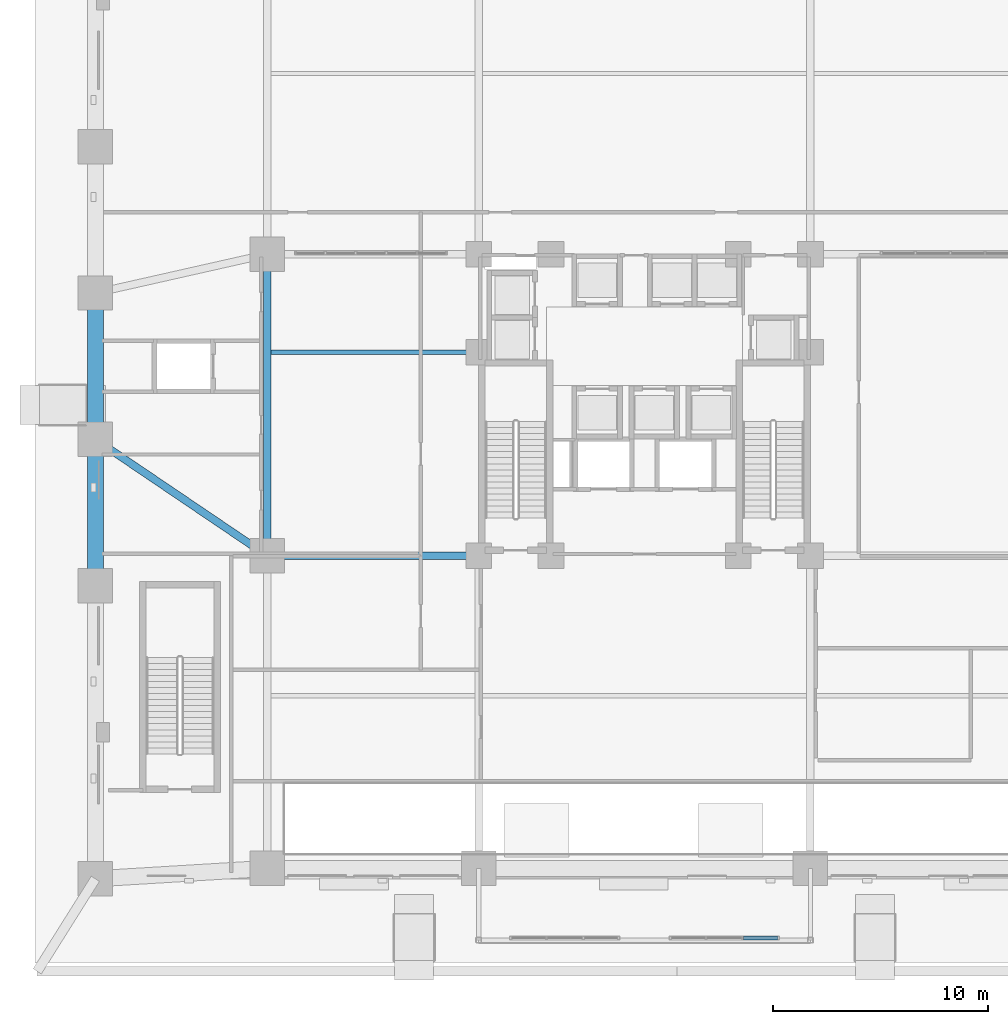
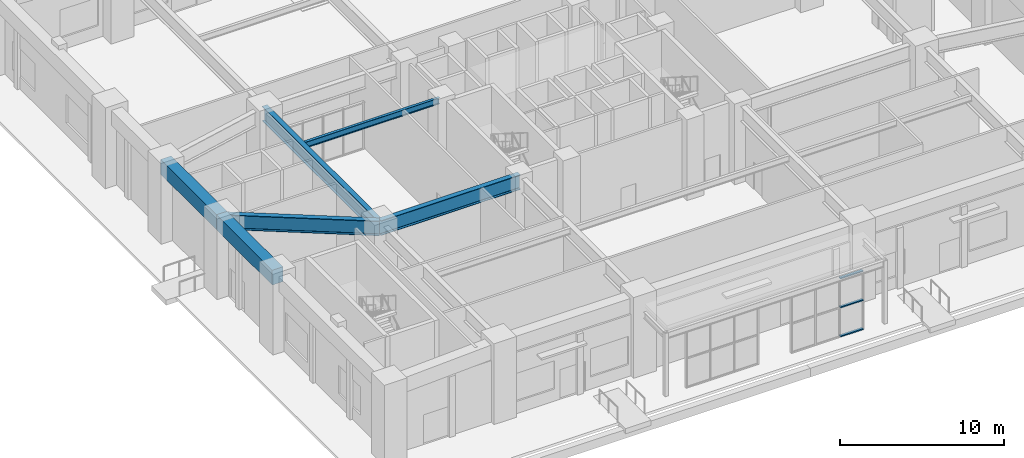
# One storey, part 7 of 24: 6 beams, 3 members, 1 element without a shape of its own.
"""IFC4 building model written with IfcOpenShell, lengths in metres."""

from ifc_helpers import new_model, si_unit, derived_unit, direction, frame, origin, origin_2d, place, context, subcontext, project, spatial, rectangle, i_section, extrude, material, material_profile, profile_set, type_object, element, aggregate, save


model = new_model("IFC4")

# Units and contexts
model_context = context("Model", 3, precision=1e-05, world=origin(), true_north=direction((0.0, 1.0)))
body_context = subcontext(model_context, "Body", "Model", "MODEL_VIEW")
ifc_project = project(units=[si_unit("LENGTHUNIT", "METRE"), si_unit("AREAUNIT", "SQUARE_METRE"), si_unit("VOLUMEUNIT", "CUBIC_METRE"), si_unit("PLANEANGLEUNIT", "RADIAN"), si_unit("MASSUNIT", "GRAM", prefix="KILO"), derived_unit("THERMALTRANSMITTANCEUNIT", [(si_unit("MASSUNIT", "GRAM", prefix="KILO"), 1), (si_unit("TIMEUNIT", "SECOND"), -3), (si_unit("THERMODYNAMICTEMPERATUREUNIT", "KELVIN"), -1)])], contexts=[model_context])

# Site, building, storey
site_placement = place(None, origin())
site = spatial("IfcSite", under=ifc_project, at=site_placement, CompositionType="ELEMENT")
building_placement = place(site_placement, origin())
building = spatial("IfcBuilding", under=site, at=building_placement, Name="Korrvale Station Residences", CompositionType="ELEMENT")
storey_placement = place(building_placement, origin())
storey = spatial("IfcBuildingStorey", under=building, at=storey_placement, Name="L00", CompositionType="ELEMENT", Elevation=0.0)

# Beams
ifc_material_1 = material(Name="Steel S355", Category="steel")
ifc_material_profile_1 = material_profile(ifc_material_1, i_section(OverallWidth=0.35009765625, OverallDepth=1.10009765625, WebThickness=0.01611328125, FlangeThickness=0.034912109375, FilletRadius=0.01806640625, at=origin_2d()), Name="WWF1100x351")
ifc_profile_set_1 = profile_set([ifc_material_profile_1], Name="Steel S355")
beam_type_1 = type_object("IfcBeamType", Name="BM-BM-WWF1100x351-S355", PredefinedType="BEAM", material=ifc_profile_set_1)
beam_1_placement = place(storey_placement, frame((7.97998046875, 15.0, 5.1298828125), z_axis=(0.0, 1.0, 0.0), x_axis=(-1.0, 0.0, 0.0)))
element("IfcBeam", 1, at=beam_1_placement, inside=storey, type_object=beam_type_1, Name="L00 Station Primary Girder 02", PredefinedType="BEAM", context=body_context, shape_type="SweptSolid", body=[
    extrude(i_section(OverallWidth=0.35009765625, OverallDepth=1.10009765625, WebThickness=0.01611328125, FlangeThickness=0.034912109375, FilletRadius=0.01806640625, at=origin_2d()), origin(), (0.0, 0.0, 1.0), 14.0),
])
beam_2_placement = place(storey_placement, frame((7.97998046875, 15.0, 5.1298828125), z_axis=(1.0, 0.0, 0.0), x_axis=(0.0, 1.0, 0.0)))
element("IfcBeam", 2, at=beam_2_placement, inside=storey, type_object=beam_type_1, Name="L00 Station Primary Girder 07", PredefinedType="BEAM", context=body_context, shape_type="SweptSolid", body=[
    extrude(i_section(OverallWidth=0.35009765625, OverallDepth=1.10009765625, WebThickness=0.01611328125, FlangeThickness=0.034912109375, FilletRadius=0.01806640625, at=origin_2d()), origin(), (0.0, 0.0, 1.0), 9.820068359375),
])
beam_3_placement = place(storey_placement, frame((0.0, 20.39990234375, 5.1298828125), z_axis=(0.828202472812, -0.560428999989, 0.0), x_axis=(0.560428999989, 0.828202472812, 0.0)))
element("IfcBeam", 3, at=beam_3_placement, inside=storey, type_object=beam_type_1, Name="L00 Station Primary Girder 11", PredefinedType="BEAM", context=body_context, shape_type="SweptSolid", body=[
    extrude(i_section(OverallWidth=0.35009765625, OverallDepth=1.10009765625, WebThickness=0.01611328125, FlangeThickness=0.034912109375, FilletRadius=0.01806640625, at=origin_2d()), origin(), (0.0, 0.0, 1.0), 9.63525390625),
])
ifc_material_profile_2 = material_profile(ifc_material_1, i_section(OverallWidth=0.18994140625, OverallDepth=0.45703125, WebThickness=0.009033203125, FlangeThickness=0.014404296875, FilletRadius=0.01611328125, at=origin_2d()), Name="W460x74")
ifc_profile_set_2 = profile_set([ifc_material_profile_2], Name="Steel S355")
beam_type_2 = type_object("IfcBeamType", Name="BM-JST-W460x74-S355", PredefinedType="JOIST", material=ifc_profile_set_2)
beam_4_placement = place(storey_placement, frame((8.155029296875, 24.449951171875, 5.451416015625), z_axis=(1.0, 0.0, 0.0), x_axis=(0.0, 1.0, 0.0)))
element("IfcBeam", 4, at=beam_4_placement, inside=storey, type_object=beam_type_2, Name="L00 Station Floor Joist 04", PredefinedType="JOIST", context=body_context, shape_type="SweptSolid", body=[
    extrude(i_section(OverallWidth=0.18994140625, OverallDepth=0.45703125, WebThickness=0.009033203125, FlangeThickness=0.014404296875, FilletRadius=0.01611328125, at=origin_2d()), origin(), (0.0, 0.0, 1.0), 9.469970703125),
])
ifc_material_2 = material(Name="Concrete C70/85", Category="concrete")
ifc_material_profile_3 = material_profile(ifc_material_2, rectangle(XDim=0.75, YDim=1.10009765625, at=origin_2d()), Name="RCB750x1100")
ifc_profile_set_3 = profile_set([ifc_material_profile_3], Name="Concrete C70/85")
beam_type_3 = type_object("IfcBeamType", Name="BM-SPB-RCB750x1100-C7085", PredefinedType="SPANDREL", material=ifc_profile_set_3)
beam_5_placement = place(storey_placement, frame((0.0, 13.60009765625, 5.1298828125), z_axis=(0.0, 1.0, 0.0), x_axis=(-1.0, 0.0, 0.0)))
element("IfcBeam", 5, at=beam_5_placement, inside=storey, type_object=beam_type_3, Name="L00 Station Spandrel Beam 02", PredefinedType="SPANDREL", context=body_context, shape_type="SweptSolid", body=[
    extrude(rectangle(XDim=0.75, YDim=1.10009765625, at=origin_2d()), origin(), (0.0, 0.0, 1.0), 6.7998046875),
])
beam_6_placement = place(storey_placement, frame((0.0, 20.39990234375, 5.1298828125), z_axis=(0.0, 1.0, 0.0), x_axis=(-1.0, 0.0, 0.0)))
element("IfcBeam", 6, at=beam_6_placement, inside=storey, type_object=beam_type_3, Name="L00 Station Spandrel Beam 03", PredefinedType="SPANDREL", context=body_context, shape_type="SweptSolid", body=[
    extrude(rectangle(XDim=0.75, YDim=1.10009765625, at=origin_2d()), origin(), (0.0, 0.0, 1.0), 6.800048828125),
])

# Curtain wall, members
ifc_material_3 = material(Name="Unitised thermally broken aluminium curtain wall with triple low-e IGU", Category="aluminium")
curtain_wall_type = type_object("IfcCurtainWallType", Name="CW-STN-ENT", PredefinedType="NOTDEFINED", material=ifc_material_3)
curtain_wall_placement = place(storey_placement, origin())
curtain_wall = element("IfcCurtainWall", 7, at=curtain_wall_placement, inside=storey, type_object=curtain_wall_type, Name="L00 Curtain Wall CW1-RUN-2", PredefinedType="NOTDEFINED")
ifc_material_4 = material(Name="Extruded thermally broken aluminium transom", Category="aluminium")
member_type = type_object("IfcMemberType", Name="CW-STN-ENT-T", PredefinedType="USERDEFINED", material=ifc_material_4)
member_1_placement = place(storey_placement, frame((30.89990234375, -2.75, 0.0), z_axis=(0.0, 0.0, 1.0), x_axis=(1.0, 0.0, 0.0)))
member_1 = element("IfcMember", 8, at=member_1_placement, type_object=member_type, Name="CW-STN-ENT Transom 3-1", ObjectType="TRANSOM", PredefinedType="USERDEFINED", context=body_context, shape_type="SweptSolid", body=[
    extrude(rectangle(XDim=1.614990234375, YDim=0.179931640625, at=origin_2d()), origin(), (0.0, 0.0, 1.0), 0.0849609375),
])
member_2_placement = place(storey_placement, frame((30.89990234375, -2.75, 2.157470703125), z_axis=(0.0, 0.0, 1.0), x_axis=(1.0, 0.0, 0.0)))
member_2 = element("IfcMember", 9, at=member_2_placement, type_object=member_type, Name="CW-STN-ENT Transom 3-2", ObjectType="TRANSOM", PredefinedType="USERDEFINED", context=body_context, shape_type="SweptSolid", body=[
    extrude(rectangle(XDim=1.614990234375, YDim=0.179931640625, at=origin_2d()), origin(), (0.0, 0.0, 1.0), 0.0849609375),
])
member_3_placement = place(storey_placement, frame((30.89990234375, -2.75, 4.31494140625), z_axis=(0.0, 0.0, 1.0), x_axis=(1.0, 0.0, 0.0)))
member_3 = element("IfcMember", 10, at=member_3_placement, type_object=member_type, Name="CW-STN-ENT Transom 3-3", ObjectType="TRANSOM", PredefinedType="USERDEFINED", context=body_context, shape_type="SweptSolid", body=[
    extrude(rectangle(XDim=1.614990234375, YDim=0.179931640625, at=origin_2d()), origin(), (0.0, 0.0, 1.0), 0.0849609375),
])
aggregate(curtain_wall, [member_1, member_2, member_3])

save(model, "model.ifc")
